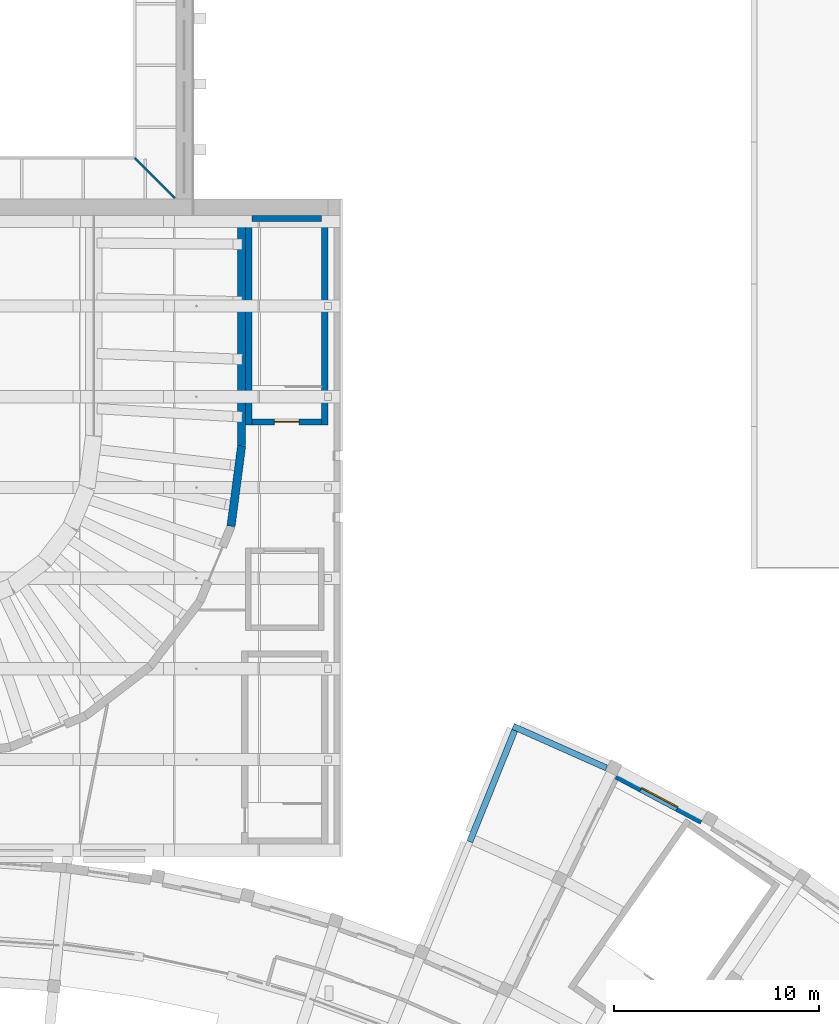
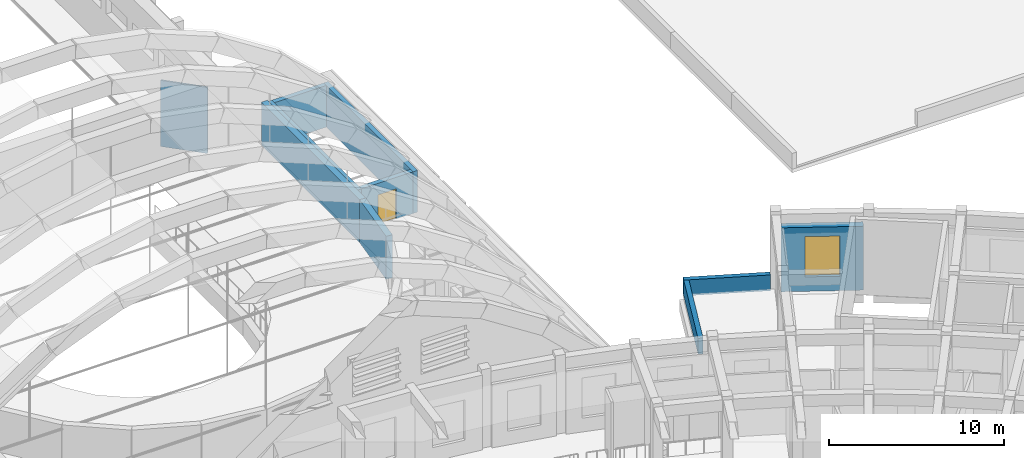
# One storey, part 65 of 94: 10 walls, 1 door, 1 window, 2 openings.
"""IFC4 building model written with IfcOpenShell, lengths in metres."""

from ifc_helpers import new_model, si_unit, direction, frame, frame_2d, origin, place, context, subcontext, project, spatial, rectangle, extrude, material, layer, layer_set, type_object, element, fill, save


model = new_model("IFC4")

# Units and contexts
model_context = context("Model", 3, precision=1e-05, world=origin(), true_north=direction((0.0, 1.0)))
body_context = subcontext(model_context, "Body", "Model", "MODEL_VIEW")
ifc_project = project(units=[si_unit("LENGTHUNIT", "METRE"), si_unit("AREAUNIT", "SQUARE_METRE"), si_unit("VOLUMEUNIT", "CUBIC_METRE"), si_unit("PLANEANGLEUNIT", "RADIAN"), si_unit("MASSUNIT", "GRAM", prefix="KILO")], contexts=[model_context])

# Site, building, storey
site_placement = place(None, origin())
site = spatial("IfcSite", under=ifc_project, at=site_placement, CompositionType="ELEMENT")
building_placement = place(site_placement, origin())
building = spatial("IfcBuilding", under=site, at=building_placement, Name="Lunette Opera House", CompositionType="ELEMENT")
storey_placement = place(building_placement, frame((0.0, 0.0, 22.5)))
storey = spatial("IfcBuildingStorey", under=building, at=storey_placement, Name="L04", CompositionType="ELEMENT", Elevation=22.5)

# Wall, opening, window
ifc_material_1 = material(Name="Clinker brick", Category="masonry")
ifc_layer_1 = layer(ifc_material_1, 0.449951171875)
ifc_layer_set_1 = layer_set([ifc_layer_1], Name="Clinker brick")
wall_type_1 = type_object("IfcWallType", Name="ARM RAIN SCREEN WALL 450", PredefinedType="SOLIDWALL", material=ifc_layer_set_1)
wall_1_placement = place(storey_placement, frame((129.48291015625, 67.965087890625, 0.0), z_axis=(0.0, 0.0, 1.0), x_axis=(0.882963316504, -0.469441989716, 0.0)))
wall_1 = element("IfcWall", 1, at=wall_1_placement, inside=storey, type_object=wall_type_1, Name="Arm Rain Screen Wall 450 BW-CE03 L04", PredefinedType="SOLIDWALL", context=body_context, shape_type="SweptSolid", body=[
    extrude(rectangle(XDim=4.68896484375, YDim=0.449951171875, at=frame_2d((2.344482421875, 0.0))), origin(), (0.0, 0.0, 1.0), 4.449951171875),
])
opening_1_placement = place(wall_1_placement, frame((1.344970703125, 0.0, 1.0)))
opening_1 = element("IfcOpeningElement", 2, at=opening_1_placement, cuts=wall_1, Name="Opening FC-N2153", PredefinedType="OPENING", context=body_context, shape_type="SweptSolid", body=[
    extrude(rectangle(XDim=2.0, YDim=2.800048828125, at=frame_2d((1.0, 1.39990234375))), frame((0.0, 0.237060546875, 0.0), z_axis=(0.0, -1.0, 0.0), x_axis=(1.0, 0.0, 0.0)), (0.0, 0.0, 1.0), 0.473876953125),
])
ifc_material_2 = material(Name="Aluminium", Category="aluminium")
window_type = type_object("IfcWindowType", Name="ARM WINDOW 2000 X 2800", PartitioningType="DOUBLE_PANEL_VERTICAL", PredefinedType="WINDOW", material=ifc_material_2)
window_placement = place(opening_1_placement, origin())
window = element("IfcWindow", 3, at=window_placement, inside=storey, type_object=window_type, Name="Arm Window 2000 X 2800 BW-CE03 L04", OverallHeight=2.800048828125, OverallWidth=2.0, PartitioningType="DOUBLE_PANEL_VERTICAL", PredefinedType="WINDOW", context=body_context, shape_type="SweptSolid", body=[
    extrude(rectangle(XDim=2.0, YDim=2.800048828125, at=frame_2d((1.0, 1.39990234375))), frame((0.0, 0.030029296875, 0.0), z_axis=(0.0, -1.0, 0.0), x_axis=(1.0, 0.0, 0.0)), (0.0, 0.0, 1.0), 0.06005859375),
])
fill(opening_1, window)

# Walls
ifc_material_3 = material(Name="Concrete C35/45", Category="concrete")
ifc_layer_2 = layer(ifc_material_3, 0.300048828125)
ifc_layer_set_2 = layer_set([ifc_layer_2], Name="Concrete C35/45")
wall_type_2 = type_object("IfcWallType", Name="RC STAIR ENCLOSURE WALL 300", PredefinedType="SOLIDWALL", material=ifc_layer_set_2)
wall_2_placement = place(storey_placement, frame((115.25, 85.0, 0.0), z_axis=(0.0, 0.0, 1.0), x_axis=(0.0, 1.0, 0.0)))
element("IfcWall", 4, at=wall_2_placement, inside=storey, type_object=wall_type_2, Name="ST9 enclosure wall 1", PredefinedType="SOLIDWALL", context=body_context, shape_type="SweptSolid", body=[
    extrude(rectangle(XDim=10.199951171875, YDim=0.300048828125, at=frame_2d((5.10009765625, 0.0))), origin(), (0.0, 0.0, 1.0), 2.89990234375),
])
wall_3_placement = place(storey_placement, frame((115.10009765625, 95.050048828125, 0.0), z_axis=(0.0, 0.0, 1.0), x_axis=(-1.0, 0.0, 0.0)))
element("IfcWall", 5, at=wall_3_placement, inside=storey, type_object=wall_type_2, Name="ST9 enclosure wall 2", PredefinedType="SOLIDWALL", context=body_context, shape_type="SweptSolid", body=[
    extrude(rectangle(XDim=3.400146484375, YDim=0.300048828125, at=frame_2d((1.7001953125, 0.0))), origin(), (0.0, 0.0, 1.0), 2.89990234375),
])
wall_4_placement = place(storey_placement, frame((111.550048828125, 95.199951171875, 0.0), z_axis=(0.0, 0.0, 1.0), x_axis=(0.0, -1.0, 0.0)))
element("IfcWall", 6, at=wall_4_placement, inside=storey, type_object=wall_type_2, Name="ST9 enclosure wall 3", PredefinedType="SOLIDWALL", context=body_context, shape_type="SweptSolid", body=[
    extrude(rectangle(XDim=10.199951171875, YDim=0.300048828125, at=frame_2d((5.10009765625, 0.0))), origin(), (0.0, 0.0, 1.0), 2.89990234375),
])

# Wall, opening, door
wall_5_placement = place(storey_placement, frame((111.699951171875, 85.14990234375, 0.0), z_axis=(0.0, 0.0, 1.0), x_axis=(1.0, 0.0, 0.0)))
wall_5 = element("IfcWall", 7, at=wall_5_placement, inside=storey, type_object=wall_type_2, Name="ST9 enclosure wall 4", PredefinedType="SOLIDWALL", context=body_context, shape_type="SweptSolid", body=[
    extrude(rectangle(XDim=3.400146484375, YDim=0.300048828125, at=frame_2d((1.7001953125, 0.0))), origin(), (0.0, 0.0, 1.0), 2.89990234375),
])
opening_2_placement = place(wall_5_placement, frame((1.10009765625, 0.0, 0.0)))
opening_2 = element("IfcOpeningElement", 8, at=opening_2_placement, cuts=wall_5, Name="Opening AU-D7024", PredefinedType="OPENING", context=body_context, shape_type="SweptSolid", body=[
    extrude(rectangle(XDim=1.199951171875, YDim=2.10009765625, at=frame_2d((0.60009765625, 1.050048828125))), frame((0.0, 0.162109375, 0.0), z_axis=(0.0, -1.0, 0.0), x_axis=(1.0, 0.0, 0.0)), (0.0, 0.0, 1.0), 0.323974609375),
])
ifc_material_4 = material(Name="Steel", Category="steel")
door_type = type_object("IfcDoorType", Name="FIRE DOOR 1200 X 2100", OperationType="SINGLE_SWING_LEFT", PredefinedType="DOOR", material=ifc_material_4)
door_placement = place(opening_2_placement, origin())
door = element("IfcDoor", 9, at=door_placement, inside=storey, type_object=door_type, Name="ST9 stair door", OperationType="SINGLE_SWING_LEFT", OverallHeight=2.10009765625, OverallWidth=1.199951171875, PredefinedType="DOOR", context=body_context, shape_type="SweptSolid", body=[
    extrude(rectangle(XDim=1.199951171875, YDim=2.10009765625, at=frame_2d((0.60009765625, 1.050048828125))), frame((0.0, 0.02490234375, 0.0), z_axis=(0.0, -1.0, 0.0), x_axis=(1.0, 0.0, 0.0)), (0.0, 0.0, 1.0), 0.050048828125),
])
fill(opening_2, door)

# Walls
ifc_material_5 = material(Name="Concrete C35/45", Category="concrete")
ifc_layer_3 = layer(ifc_material_5, 0.39990234375)
ifc_layer_set_3 = layer_set([ifc_layer_3], Name="Concrete C35/45")
wall_type_3 = type_object("IfcWallType", Name="RC WALL 400", PredefinedType="SHEAR", material=ifc_layer_set_3)
wall_6_placement = place(storey_placement, frame((110.68408203125, 80.06591796875, 0.0), z_axis=(0.0, 0.0, 1.0), x_axis=(0.130436947249, 0.991456606611, 0.0)))
element("IfcWall", 10, at=wall_6_placement, inside=storey, type_object=wall_type_3, Name="wall-AU-L04-HW13", PredefinedType="SHEAR", context=body_context, shape_type="SweptSolid", body=[
    extrude(rectangle(XDim=3.954833984375, YDim=0.39990234375, at=frame_2d((1.9775390625, 0.0))), origin(), (0.0, 0.0, 1.0), 3.0),
])
wall_7_placement = place(storey_placement, frame((111.199951171875, 83.987060546875, 0.0), z_axis=(0.0, 0.0, 1.0), x_axis=(0.0, 1.0, 0.0)))
element("IfcWall", 11, at=wall_7_placement, inside=storey, type_object=wall_type_3, Name="wall-AU-L04-HW14", PredefinedType="SHEAR", context=body_context, shape_type="SweptSolid", body=[
    extrude(rectangle(XDim=11.212890625, YDim=0.39990234375, at=frame_2d((5.6064453125, 0.0))), origin(), (0.0, 0.0, 1.0), 3.0),
])
ifc_material_6 = material(Name="Clinker brick", Category="masonry")
ifc_layer_4 = layer(ifc_material_6, 0.300048828125)
ifc_layer_set_4 = layer_set([ifc_layer_4], Name="Clinker brick")
wall_type_4 = type_object("IfcWallType", Name="ROOF PARAPET WALL 300", PredefinedType="PARAPET", material=ifc_layer_set_4)
wall_8_placement = place(storey_placement, frame((128.9580078125, 68.302978515625, 0.0), z_axis=(0.0, 0.0, 1.0), x_axis=(-0.913483373896, 0.406876056823, 0.0)))
element("IfcWall", 12, at=wall_8_placement, inside=storey, type_object=wall_type_4, Name="Roof Parapet Wall 300 PA-L03-01 L04", PredefinedType="PARAPET", context=body_context, shape_type="SweptSolid", body=[
    extrude(rectangle(XDim=4.974365234375, YDim=0.300048828125, at=frame_2d((2.4873046875, 0.0))), origin(), (0.0, 0.0, 1.0), 1.10009765625),
])
wall_9_placement = place(storey_placement, frame((124.4951171875, 70.126953125, 0.0), z_axis=(0.0, 0.0, 1.0), x_axis=(-0.374487932995, -0.927231787657, 0.0)))
element("IfcWall", 13, at=wall_9_placement, inside=storey, type_object=wall_type_4, Name="Roof Parapet Wall 300 PA-L03-02 L04", PredefinedType="PARAPET", context=body_context, shape_type="SweptSolid", body=[
    extrude(rectangle(XDim=5.840087890625, YDim=0.300048828125, at=frame_2d((2.919921875, 0.0))), origin(), (0.0, 0.0, 1.0), 1.10009765625),
])
ifc_material_7 = material(Name="Gypsum board on steel studs", Category="steel")
ifc_layer_5 = layer(ifc_material_7, 0.10009765625)
ifc_layer_set_5 = layer_set([ifc_layer_5], Name="Gypsum board on steel studs")
wall_type_5 = type_object("IfcWallType", Name="STUD PARTITION 100", PredefinedType="PARTITIONING", material=ifc_layer_set_5)
wall_10_placement = place(storey_placement, frame((107.949951171875, 96.050048828125, 0.0), z_axis=(0.0, 0.0, 1.0), x_axis=(-0.707106781187, 0.707106781187, 0.0)))
element("IfcWall", 14, at=wall_10_placement, inside=storey, type_object=wall_type_5, Name="Partition Fly Gallery 22.5 South", PredefinedType="PARTITIONING", context=body_context, shape_type="SweptSolid", body=[
    extrude(rectangle(XDim=2.757568359375, YDim=0.10009765625, at=frame_2d((1.37890625, 0.0))), origin(), (0.0, 0.0, 1.0), 4.60009765625),
])

save(model, "model.ifc")
